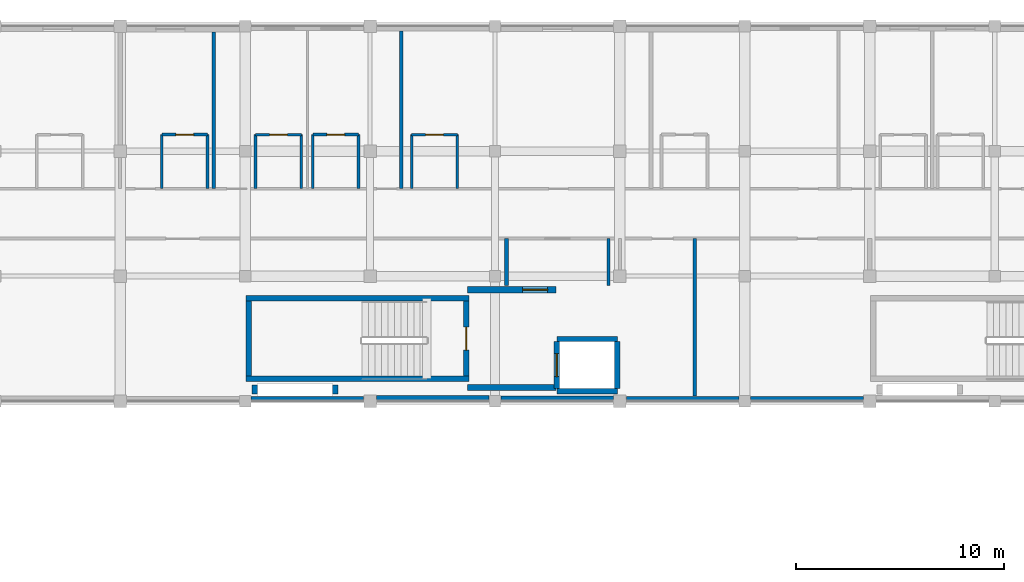
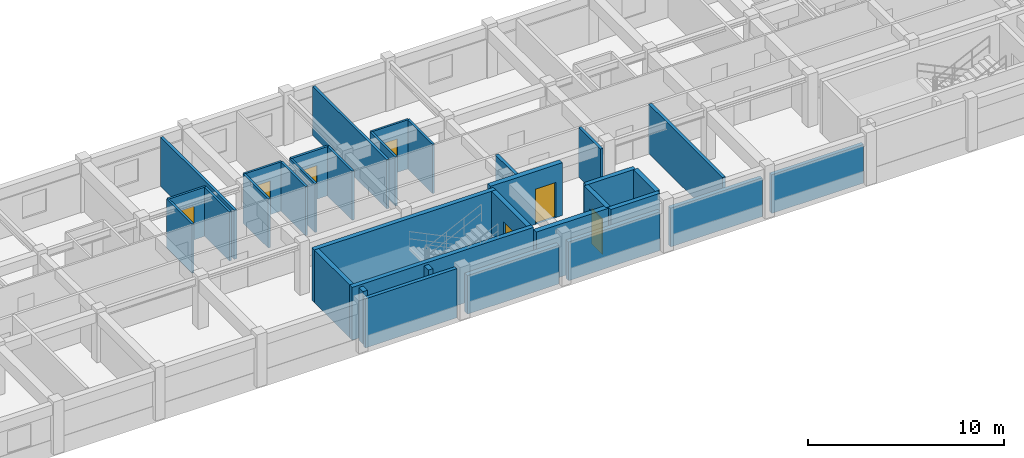
# One storey, part 9 of 21: 34 walls, 7 doors, 7 openings.
"""IFC4 building model written with IfcOpenShell, lengths in metres."""

from ifc_helpers import new_model, si_unit, direction, frame, frame_2d, origin, place, context, subcontext, project, spatial, rectangle, extrude, material, layer, layer_set, type_object, element, fill, save


model = new_model("IFC4")

# Units and contexts
model_context = context("Model", 3, precision=1e-05, world=origin(), true_north=direction((0.0, 1.0)))
body_context = subcontext(model_context, "Body", "Model", "MODEL_VIEW")
ifc_project = project(units=[si_unit("LENGTHUNIT", "METRE"), si_unit("AREAUNIT", "SQUARE_METRE"), si_unit("VOLUMEUNIT", "CUBIC_METRE"), si_unit("PLANEANGLEUNIT", "RADIAN"), si_unit("MASSUNIT", "GRAM", prefix="KILO"), si_unit("THERMODYNAMICTEMPERATUREUNIT", "KELVIN"), si_unit("POWERUNIT", "WATT")], contexts=[model_context])

# Site, building, storey
site_placement = place(None, origin())
site = spatial("IfcSite", under=ifc_project, at=site_placement, CompositionType="ELEMENT")
building_placement = place(site_placement, origin())
building = spatial("IfcBuilding", under=site, at=building_placement, Name="Phaisarnlok Congress Hotel", CompositionType="ELEMENT")
storey_placement = place(building_placement, frame((0.0, 0.0, 31.5)))
storey = spatial("IfcBuildingStorey", under=building, at=storey_placement, Name="L07", CompositionType="ELEMENT", Elevation=31.5)

# Walls
ifc_material_1 = material(Name="Concrete C40/50", Category="concrete")
ifc_layer_1 = layer(ifc_material_1, 0.2099609375, Name="Concrete C40/50")
ifc_layer_set_1 = layer_set([ifc_layer_1], Name="Concrete C40/50")
wall_type_1 = type_object("IfcWallType", Name="WL-EXT-210", PredefinedType="SOLIDWALL", material=ifc_layer_set_1)
wall_1_placement = place(storey_placement, frame((102.280029296875, 108.10498046875, 0.0), z_axis=(0.0, 0.0, 1.0), x_axis=(1.0, 0.0, 0.0)))
element("IfcWall", 1, at=wall_1_placement, inside=storey, type_object=wall_type_1, Name="Exterior wall EW-07 (L07)", PredefinedType="SOLIDWALL", context=body_context, shape_type="SweptSolid", body=[
    extrude(rectangle(XDim=5.4150390625, YDim=0.2099609375, at=frame_2d((2.70751953125, 0.0))), origin(), (0.0, 0.0, 1.0), 3.070068359375),
])
wall_2_placement = place(storey_placement, frame((126.280029296875, 108.10498046875, 0.0), z_axis=(0.0, 0.0, 1.0), x_axis=(1.0, 0.0, 0.0)))
element("IfcWall", 2, at=wall_2_placement, inside=storey, type_object=wall_type_1, Name="Exterior wall EW-07 (L07)", PredefinedType="SOLIDWALL", context=body_context, shape_type="SweptSolid", body=[
    extrude(rectangle(XDim=5.4150390625, YDim=0.2099609375, at=frame_2d((2.70751953125, 0.0))), origin(), (0.0, 0.0, 1.0), 2.419921875),
])
ifc_layer_2 = layer(ifc_material_1, 0.22998046875, Name="Concrete C40/50")
ifc_layer_set_2 = layer_set([ifc_layer_2], Name="Concrete C40/50")
wall_type_2 = type_object("IfcWallType", Name="WL-EXT-230", PredefinedType="SOLIDWALL", material=ifc_layer_set_2)
wall_3_placement = place(storey_placement, frame((120.304931640625, 108.114990234375, 0.0), z_axis=(0.0, 0.0, 1.0), x_axis=(1.0, 0.0, 0.0)))
element("IfcWall", 3, at=wall_3_placement, inside=storey, type_object=wall_type_2, Name="Exterior wall EW-06 (L07)", PredefinedType="SOLIDWALL", context=body_context, shape_type="SweptSolid", body=[
    extrude(rectangle(XDim=5.4150390625, YDim=0.22998046875, at=frame_2d((2.70751953125, 0.0))), origin(), (0.0, 0.0, 1.0), 2.419921875),
])
ifc_layer_3 = layer(ifc_material_1, 0.25, Name="Concrete C40/50")
ifc_layer_set_3 = layer_set([ifc_layer_3], Name="Concrete C40/50")
wall_type_3 = type_object("IfcWallType", Name="WL-EXT-250", PredefinedType="SOLIDWALL", material=ifc_layer_set_3)
wall_4_placement = place(storey_placement, frame((114.280029296875, 108.125, 0.0), z_axis=(0.0, 0.0, 1.0), x_axis=(1.0, 0.0, 0.0)))
element("IfcWall", 4, at=wall_4_placement, inside=storey, type_object=wall_type_3, Name="Exterior wall EW-05 (L07)", PredefinedType="SOLIDWALL", context=body_context, shape_type="SweptSolid", body=[
    extrude(rectangle(XDim=5.4150390625, YDim=0.25, at=frame_2d((2.70751953125, 0.0))), origin(), (0.0, 0.0, 1.0), 2.419921875),
])
ifc_layer_4 = layer(ifc_material_1, 0.27001953125, Name="Concrete C40/50")
ifc_layer_set_4 = layer_set([ifc_layer_4], Name="Concrete C40/50")
wall_type_4 = type_object("IfcWallType", Name="WL-EXT-270", PredefinedType="SOLIDWALL", material=ifc_layer_set_4)
wall_5_placement = place(storey_placement, frame((108.304931640625, 108.135009765625, 0.0), z_axis=(0.0, 0.0, 1.0), x_axis=(1.0, 0.0, 0.0)))
element("IfcWall", 5, at=wall_5_placement, inside=storey, type_object=wall_type_4, Name="Exterior wall EW-04 (L07)", PredefinedType="SOLIDWALL", context=body_context, shape_type="SweptSolid", body=[
    extrude(rectangle(XDim=5.4150390625, YDim=0.27001953125, at=frame_2d((2.70751953125, 0.0))), origin(), (0.0, 0.0, 1.0), 2.419921875),
])
ifc_material_2 = material(Name="Lightweight Metal-Stud Gypsum Partition", Category="gypsum")
ifc_layer_5 = layer(ifc_material_2, 0.1201171875, Name="Lightweight Metal-Stud Gypsum Partition")
ifc_layer_set_5 = layer_set([ifc_layer_5], Name="Lightweight Metal-Stud Gypsum Partition")
wall_type_5 = type_object("IfcWallType", Name="WL-INT-120", PredefinedType="PARTITIONING", material=ifc_layer_set_5)
for number, where, z_axis, x_axis, name in (
    (6, (98.0, 118.199951171875, 0.0), (0.0, 0.0, 1.0), (0.0, 1.0, 0.0), "Interior partition wall IW-07 (L07)"),
    (7, (104.699951171875, 118.199951171875, 0.0), (0.0, 0.0, 1.0), (0.0, 1.0, 0.0), "Interior partition wall IW-07 (L07)"),
    (8, (105.25, 118.199951171875, 0.0), (0.0, 0.0, 1.0), (0.0, 1.0, 0.0), "Interior partition wall IW-07 (L07)"),
    (9, (112.199951171875, 118.199951171875, 0.0), (0.0, 0.0, 1.0), (0.0, 1.0, 0.0), "Interior partition wall IW-07 (L07)"),
):
    element("IfcWall", number, at=place(storey_placement, frame(where, z_axis=z_axis, x_axis=x_axis)), inside=storey, type_object=wall_type_5, Name=name, PredefinedType="PARTITIONING", context=body_context, shape_type="SweptSolid", body=[
        extrude(rectangle(XDim=2.60009765625, YDim=0.1201171875, at=frame_2d((1.300048828125, 0.0))), origin(), (0.0, 0.0, 1.0), 3.070068359375),
    ])

# Wall, opening, door
wall_6_placement = place(storey_placement, frame((102.5, 120.800048828125, 0.0), z_axis=(0.0, 0.0, 1.0), x_axis=(1.0, 0.0, 0.0)))
wall_6 = element("IfcWall", 10, at=wall_6_placement, inside=storey, type_object=wall_type_5, Name="Interior partition wall IW-07 (L07)", PredefinedType="PARTITIONING", context=body_context, shape_type="SweptSolid", body=[
    extrude(rectangle(XDim=2.199951171875, YDim=0.1201171875, at=frame_2d((1.10009765625, 0.0))), origin(), (0.0, 0.0, 1.0), 3.070068359375),
])
opening_1_placement = place(wall_6_placement, frame((0.675048828125, 0.0, 0.0)))
opening_1 = element("IfcOpeningElement", 11, at=opening_1_placement, cuts=wall_6, Name="Opening D-0333", PredefinedType="OPENING", context=body_context, shape_type="SweptSolid", body=[
    extrude(rectangle(XDim=0.85009765625, YDim=2.10009765625, at=frame_2d((0.425048828125, 1.050048828125))), frame((0.0, 0.070068359375, 0.0), z_axis=(0.0, -1.0, 0.0), x_axis=(1.0, 0.0, 0.0)), (0.0, 0.0, 1.0), 0.14013671875),
])
ifc_material_3 = material(Name="Moisture-Resistant Lacquered Timber", Category="wood")
door_type_1 = type_object("IfcDoorType", Name="DR-BATH-850", OperationType="NOTDEFINED", PredefinedType="DOOR", material=ifc_material_3)
door_1_placement = place(opening_1_placement, origin())
door_1 = element("IfcDoor", 12, at=door_1_placement, inside=storey, type_object=door_type_1, Name="Interior door D-0333 (L07)", OperationType="SINGLE_SWING_LEFT", OverallHeight=2.10009765625, OverallWidth=0.85009765625, PredefinedType="DOOR", context=body_context, shape_type="SweptSolid", body=[
    extrude(rectangle(XDim=0.85009765625, YDim=2.10009765625, at=frame_2d((0.425048828125, 1.050048828125))), frame((0.0, 0.02490234375, 0.0), z_axis=(0.0, -1.0, 0.0), x_axis=(1.0, 0.0, 0.0)), (0.0, 0.0, 1.0), 0.050048828125),
])
fill(opening_1, door_1)

wall_7_placement = place(storey_placement, frame((110.0, 120.800048828125, 0.0), z_axis=(0.0, 0.0, 1.0), x_axis=(1.0, 0.0, 0.0)))
wall_7 = element("IfcWall", 13, at=wall_7_placement, inside=storey, type_object=wall_type_5, Name="Interior partition wall IW-07 (L07)", PredefinedType="PARTITIONING", context=body_context, shape_type="SweptSolid", body=[
    extrude(rectangle(XDim=2.199951171875, YDim=0.1201171875, at=frame_2d((1.10009765625, 0.0))), origin(), (0.0, 0.0, 1.0), 3.070068359375),
])
opening_2_placement = place(wall_7_placement, frame((0.675048828125, 0.0, 0.0)))
opening_2 = element("IfcOpeningElement", 14, at=opening_2_placement, cuts=wall_7, Name="Opening D-0337", PredefinedType="OPENING", context=body_context, shape_type="SweptSolid", body=[
    extrude(rectangle(XDim=0.85009765625, YDim=2.10009765625, at=frame_2d((0.425048828125, 1.050048828125))), frame((0.0, 0.070068359375, 0.0), z_axis=(0.0, -1.0, 0.0), x_axis=(1.0, 0.0, 0.0)), (0.0, 0.0, 1.0), 0.14013671875),
])
door_2_placement = place(opening_2_placement, origin())
door_2 = element("IfcDoor", 15, at=door_2_placement, inside=storey, type_object=door_type_1, Name="Interior door D-0337 (L07)", OperationType="SINGLE_SWING_LEFT", OverallHeight=2.10009765625, OverallWidth=0.85009765625, PredefinedType="DOOR", context=body_context, shape_type="SweptSolid", body=[
    extrude(rectangle(XDim=0.85009765625, YDim=2.10009765625, at=frame_2d((0.425048828125, 1.050048828125))), frame((0.0, 0.02490234375, 0.0), z_axis=(0.0, -1.0, 0.0), x_axis=(1.0, 0.0, 0.0)), (0.0, 0.0, 1.0), 0.050048828125),
])
fill(opening_2, door_2)

# Walls
ifc_material_4 = material(Name="Moisture-Resistant Gypsum Partition", Category="gypsum")
ifc_layer_6 = layer(ifc_material_4, 0.135009765625, Name="Moisture-Resistant Gypsum Partition")
ifc_layer_set_6 = layer_set([ifc_layer_6], Name="Moisture-Resistant Gypsum Partition")
wall_type_6 = type_object("IfcWallType", Name="WL-INT-135", PredefinedType="PARTITIONING", material=ifc_layer_set_6)
for number, where, z_axis, x_axis, name in (
    (16, (100.199951171875, 118.199951171875, 0.0), (0.0, 0.0, 1.0), (0.0, 1.0, 0.0), "Interior partition wall IW-06 (L07)"),
    (17, (102.5, 118.199951171875, 0.0), (0.0, 0.0, 1.0), (0.0, 1.0, 0.0), "Interior partition wall IW-06 (L07)"),
    (18, (107.449951171875, 118.199951171875, 0.0), (0.0, 0.0, 1.0), (0.0, 1.0, 0.0), "Interior partition wall IW-06 (L07)"),
    (19, (110.0, 118.199951171875, 0.0), (0.0, 0.0, 1.0), (0.0, 1.0, 0.0), "Interior partition wall IW-06 (L07)"),
):
    element("IfcWall", number, at=place(storey_placement, frame(where, z_axis=z_axis, x_axis=x_axis)), inside=storey, type_object=wall_type_6, Name=name, PredefinedType="PARTITIONING", context=body_context, shape_type="SweptSolid", body=[
        extrude(rectangle(XDim=2.60009765625, YDim=0.135009765625, at=frame_2d((1.300048828125, 0.0))), origin(), (0.0, 0.0, 1.0), 3.070068359375),
    ])

# Wall, opening, door
wall_8_placement = place(storey_placement, frame((98.0, 120.800048828125, 0.0), z_axis=(0.0, 0.0, 1.0), x_axis=(1.0, 0.0, 0.0)))
wall_8 = element("IfcWall", 20, at=wall_8_placement, inside=storey, type_object=wall_type_6, Name="Interior partition wall IW-06 (L07)", PredefinedType="PARTITIONING", context=body_context, shape_type="SweptSolid", body=[
    extrude(rectangle(XDim=2.199951171875, YDim=0.135009765625, at=frame_2d((1.10009765625, 0.0))), origin(), (0.0, 0.0, 1.0), 3.070068359375),
])
opening_3_placement = place(wall_8_placement, frame((0.675048828125, 0.0, 0.0)))
opening_3 = element("IfcOpeningElement", 21, at=opening_3_placement, cuts=wall_8, Name="Opening D-0331", PredefinedType="OPENING", context=body_context, shape_type="SweptSolid", body=[
    extrude(rectangle(XDim=0.85009765625, YDim=2.10009765625, at=frame_2d((0.425048828125, 1.050048828125))), frame((0.0, 0.07763671875, 0.0), z_axis=(0.0, -1.0, 0.0), x_axis=(1.0, 0.0, 0.0)), (0.0, 0.0, 1.0), 0.155029296875),
])
door_3_placement = place(opening_3_placement, origin())
door_3 = element("IfcDoor", 22, at=door_3_placement, inside=storey, type_object=door_type_1, Name="Interior door D-0331 (L07)", OperationType="SINGLE_SWING_LEFT", OverallHeight=2.10009765625, OverallWidth=0.85009765625, PredefinedType="DOOR", context=body_context, shape_type="SweptSolid", body=[
    extrude(rectangle(XDim=0.85009765625, YDim=2.10009765625, at=frame_2d((0.425048828125, 1.050048828125))), frame((0.0, 0.02490234375, 0.0), z_axis=(0.0, -1.0, 0.0), x_axis=(1.0, 0.0, 0.0)), (0.0, 0.0, 1.0), 0.050048828125),
])
fill(opening_3, door_3)

wall_9_placement = place(storey_placement, frame((105.25, 120.800048828125, 0.0), z_axis=(0.0, 0.0, 1.0), x_axis=(1.0, 0.0, 0.0)))
wall_9 = element("IfcWall", 23, at=wall_9_placement, inside=storey, type_object=wall_type_6, Name="Interior partition wall IW-06 (L07)", PredefinedType="PARTITIONING", context=body_context, shape_type="SweptSolid", body=[
    extrude(rectangle(XDim=2.199951171875, YDim=0.135009765625, at=frame_2d((1.10009765625, 0.0))), origin(), (0.0, 0.0, 1.0), 3.070068359375),
])
opening_4_placement = place(wall_9_placement, frame((0.675048828125, 0.0, 0.0)))
opening_4 = element("IfcOpeningElement", 24, at=opening_4_placement, cuts=wall_9, Name="Opening D-0335", PredefinedType="OPENING", context=body_context, shape_type="SweptSolid", body=[
    extrude(rectangle(XDim=0.85009765625, YDim=2.10009765625, at=frame_2d((0.425048828125, 1.050048828125))), frame((0.0, 0.07763671875, 0.0), z_axis=(0.0, -1.0, 0.0), x_axis=(1.0, 0.0, 0.0)), (0.0, 0.0, 1.0), 0.155029296875),
])
door_4_placement = place(opening_4_placement, origin())
door_4 = element("IfcDoor", 25, at=door_4_placement, inside=storey, type_object=door_type_1, Name="Interior door D-0335 (L07)", OperationType="SINGLE_SWING_LEFT", OverallHeight=2.10009765625, OverallWidth=0.85009765625, PredefinedType="DOOR", context=body_context, shape_type="SweptSolid", body=[
    extrude(rectangle(XDim=0.85009765625, YDim=2.10009765625, at=frame_2d((0.425048828125, 1.050048828125))), frame((0.0, 0.02490234375, 0.0), z_axis=(0.0, -1.0, 0.0), x_axis=(1.0, 0.0, 0.0)), (0.0, 0.0, 1.0), 0.050048828125),
])
fill(opening_4, door_4)

# Walls
ifc_material_5 = material(Name="Acoustic Gypsum Board & Mineral Wool", Category="gypsum")
ifc_layer_7 = layer(ifc_material_5, 0.14990234375, Name="Acoustic Gypsum Board & Mineral Wool")
ifc_layer_set_7 = layer_set([ifc_layer_7], Name="Acoustic Gypsum Board & Mineral Wool")
wall_type_7 = type_object("IfcWallType", Name="WL-INT-150", PredefinedType="PARTITIONING", material=ifc_layer_set_7)
wall_10_placement = place(storey_placement, frame((109.5, 118.199951171875, 0.0), z_axis=(0.0, 0.0, 1.0), x_axis=(0.0, 1.0, 0.0)))
element("IfcWall", 26, at=wall_10_placement, inside=storey, type_object=wall_type_7, Name="Interior partition wall IW-05 (L07)", PredefinedType="PARTITIONING", context=body_context, shape_type="SweptSolid", body=[
    extrude(rectangle(XDim=7.56494140625, YDim=0.14990234375, at=frame_2d((3.782470703125, 0.0))), origin(), (0.0, 0.0, 1.0), 3.070068359375),
])
ifc_material_6 = material(Name="Double-Stud Acoustic Gypsum Partition", Category="gypsum")
ifc_layer_8 = layer(ifc_material_6, 0.159912109375, Name="Double-Stud Acoustic Gypsum Partition")
ifc_layer_set_8 = layer_set([ifc_layer_8], Name="Double-Stud Acoustic Gypsum Partition")
wall_type_8 = type_object("IfcWallType", Name="WL-INT-160", PredefinedType="PARTITIONING", material=ifc_layer_set_8)
wall_11_placement = place(storey_placement, frame((100.5, 118.199951171875, 0.0), z_axis=(0.0, 0.0, 1.0), x_axis=(0.0, 1.0, 0.0)))
element("IfcWall", 27, at=wall_11_placement, inside=storey, type_object=wall_type_8, Name="Interior partition wall IW-04 (L07)", PredefinedType="PARTITIONING", context=body_context, shape_type="SweptSolid", body=[
    extrude(rectangle(XDim=7.525146484375, YDim=0.159912109375, at=frame_2d((3.7626953125, 0.0))), origin(), (0.0, 0.0, 1.0), 3.070068359375),
])
wall_12_placement = place(storey_placement, frame((119.449951171875, 113.56005859375, 0.0), z_axis=(0.0, 0.0, 1.0), x_axis=(0.0, 1.0, 0.0)))
element("IfcWall", 28, at=wall_12_placement, inside=storey, type_object=wall_type_8, Name="Interior partition wall IW-04 (L07)", PredefinedType="PARTITIONING", context=body_context, shape_type="SweptSolid", body=[
    extrude(rectangle(XDim=2.239990234375, YDim=0.159912109375, at=frame_2d((1.1201171875, 0.0))), origin(), (0.0, 0.0, 1.0), 3.070068359375),
])
ifc_material_7 = material(Name="Autoclaved Aerated Concrete Block", Category="concrete")
ifc_layer_9 = layer(ifc_material_7, 0.179931640625, Name="Autoclaved Aerated Concrete Block")
ifc_layer_set_9 = layer_set([ifc_layer_9], Name="Autoclaved Aerated Concrete Block")
wall_type_9 = type_object("IfcWallType", Name="WL-INT-180", PredefinedType="PARTITIONING", material=ifc_layer_set_9)
wall_13_placement = place(storey_placement, frame((114.550048828125, 113.56005859375, 0.0), z_axis=(0.0, 0.0, 1.0), x_axis=(0.0, 1.0, 0.0)))
element("IfcWall", 29, at=wall_13_placement, inside=storey, type_object=wall_type_9, Name="Interior partition wall IW-03 (L07)", PredefinedType="PARTITIONING", context=body_context, shape_type="SweptSolid", body=[
    extrude(rectangle(XDim=2.239990234375, YDim=0.179931640625, at=frame_2d((1.1201171875, 0.0))), origin(), (0.0, 0.0, 1.0), 3.070068359375),
])
wall_14_placement = place(storey_placement, frame((123.60009765625, 108.235107421875, 0.0), z_axis=(0.0, 0.0, 1.0), x_axis=(0.0, 1.0, 0.0)))
element("IfcWall", 30, at=wall_14_placement, inside=storey, type_object=wall_type_9, Name="Interior partition wall IW-03 (L07)", PredefinedType="PARTITIONING", context=body_context, shape_type="SweptSolid", body=[
    extrude(rectangle(XDim=7.56494140625, YDim=0.179931640625, at=frame_2d((3.782470703125, 0.0))), origin(), (0.0, 0.0, 1.0), 3.070068359375),
])
ifc_material_8 = material(Name="Concrete C50/60", Category="concrete")
ifc_layer_10 = layer(ifc_material_8, 0.260009765625, Name="Concrete C50/60")
ifc_layer_set_10 = layer_set([ifc_layer_10], Name="Concrete C50/60")
wall_type_10 = type_object("IfcWallType", Name="WL-SHR-260", PredefinedType="SHEAR", material=ifc_layer_set_10)
for number, where, z_axis, x_axis, name in (
    (31, (102.0400390625, 109.070068359375, 0.0), (0.0, 0.0, 1.0), (1.0, 0.0, 0.0), "Stair shaft shear wall SW-04 (CORE-4 L07)"),
    (32, (102.0400390625, 112.929931640625, 0.0), (0.0, 0.0, 1.0), (1.0, 0.0, 0.0), "Stair shaft shear wall SW-04 (CORE-4 L07)"),
):
    element("IfcWall", number, at=place(storey_placement, frame(where, z_axis=z_axis, x_axis=x_axis)), inside=storey, type_object=wall_type_10, Name=name, PredefinedType="SHEAR", context=body_context, shape_type="SweptSolid", body=[
        extrude(rectangle(XDim=10.719970703125, YDim=0.260009765625, at=frame_2d((5.35986328125, 0.0))), origin(), (0.0, 0.0, 1.0), 3.300048828125),
    ])
wall_15_placement = place(storey_placement, frame((102.169921875, 109.199951171875, 0.0), z_axis=(0.0, 0.0, 1.0), x_axis=(0.0, 1.0, 0.0)))
element("IfcWall", 33, at=wall_15_placement, inside=storey, type_object=wall_type_10, Name="Stair shaft shear wall SW-04 (CORE-4 L07)", PredefinedType="SHEAR", context=body_context, shape_type="SweptSolid", body=[
    extrude(rectangle(XDim=3.60009765625, YDim=0.260009765625, at=frame_2d((1.800048828125, 0.0))), origin(), (0.0, 0.0, 1.0), 3.300048828125),
])

# Wall, opening, door
wall_16_placement = place(storey_placement, frame((112.6298828125, 109.199951171875, 0.0), z_axis=(0.0, 0.0, 1.0), x_axis=(0.0, 1.0, 0.0)))
wall_16 = element("IfcWall", 34, at=wall_16_placement, inside=storey, type_object=wall_type_10, Name="Stair shaft shear wall SW-04 (CORE-4 L07)", PredefinedType="SHEAR", context=body_context, shape_type="SweptSolid", body=[
    extrude(rectangle(XDim=3.60009765625, YDim=0.260009765625, at=frame_2d((1.800048828125, 0.0))), origin(), (0.0, 0.0, 1.0), 3.300048828125),
])
opening_5_placement = place(wall_16_placement, frame((1.25, 0.0, 0.0)))
opening_5 = element("IfcOpeningElement", 35, at=opening_5_placement, cuts=wall_16, Name="Opening FD-099", PredefinedType="OPENING", context=body_context, shape_type="SweptSolid", body=[
    extrude(rectangle(XDim=1.10009765625, YDim=2.14990234375, at=frame_2d((0.550048828125, 1.074951171875))), frame((0.0, 0.14013671875, 0.0), z_axis=(0.0, -1.0, 0.0), x_axis=(1.0, 0.0, 0.0)), (0.0, 0.0, 1.0), 0.280029296875),
])
ifc_material_9 = material(Name="Fire-Rated Steel Frame & Timber Leaf", Category="steel")
door_type_2 = type_object("IfcDoorType", Name="DR-FD60-1100", OperationType="NOTDEFINED", PredefinedType="DOOR", material=ifc_material_9)
door_5_placement = place(opening_5_placement, origin())
door_5 = element("IfcDoor", 36, at=door_5_placement, inside=storey, type_object=door_type_2, Name="Stair enclosure fire door FD-099 (L07)", OperationType="SINGLE_SWING_RIGHT", OverallHeight=2.14990234375, OverallWidth=1.10009765625, PredefinedType="DOOR", context=body_context, shape_type="SweptSolid", body=[
    extrude(rectangle(XDim=1.10009765625, YDim=2.14990234375, at=frame_2d((0.550048828125, 1.074951171875))), frame((0.0, 0.02490234375, 0.0), z_axis=(0.0, -1.0, 0.0), x_axis=(1.0, 0.0, 0.0)), (0.0, 0.0, 1.0), 0.050048828125),
])
fill(opening_5, door_5)

# Walls
for number, where, z_axis, x_axis, name in (
    (37, (116.969970703125, 108.469970703125, 0.0), (0.0, 0.0, 1.0), (1.0, 0.0, 0.0), "Lift shaft shear wall SW-04 (LF-HP4 L07)"),
    (38, (116.969970703125, 110.97998046875, 0.0), (0.0, 0.0, 1.0), (1.0, 0.0, 0.0), "Lift shaft shear wall SW-04 (LF-HP4 L07)"),
):
    element("IfcWall", number, at=place(storey_placement, frame(where, z_axis=z_axis, x_axis=x_axis)), inside=storey, type_object=wall_type_10, Name=name, PredefinedType="SHEAR", context=body_context, shape_type="SweptSolid", body=[
        extrude(rectangle(XDim=2.909912109375, YDim=0.260009765625, at=frame_2d((1.455078125, 0.0))), origin(), (0.0, 0.0, 1.0), 3.300048828125),
    ])
wall_17_placement = place(storey_placement, frame((119.8798828125, 108.60009765625, 0.0), z_axis=(0.0, 0.0, 1.0), x_axis=(0.0, 1.0, 0.0)))
element("IfcWall", 39, at=wall_17_placement, inside=storey, type_object=wall_type_10, Name="Lift shaft shear wall SW-04 (LF-HP4 L07)", PredefinedType="SHEAR", context=body_context, shape_type="SweptSolid", body=[
    extrude(rectangle(XDim=2.25, YDim=0.260009765625, at=frame_2d((1.125, 0.0))), origin(), (0.0, 0.0, 1.0), 3.300048828125),
])

# Wall, opening, door
wall_18_placement = place(storey_placement, frame((116.969970703125, 108.60009765625, 0.0), z_axis=(0.0, 0.0, 1.0), x_axis=(0.0, 1.0, 0.0)))
wall_18 = element("IfcWall", 40, at=wall_18_placement, inside=storey, type_object=wall_type_10, Name="Lift shaft front wall SW-04 (LF-HP4 L07)", PredefinedType="SHEAR", context=body_context, shape_type="SweptSolid", body=[
    extrude(rectangle(XDim=2.25, YDim=0.260009765625, at=frame_2d((1.125, 0.0))), origin(), (0.0, 0.0, 1.0), 3.300048828125),
])
opening_6_placement = place(wall_18_placement, frame((0.574951171875, 0.0, 0.0)))
opening_6 = element("IfcOpeningElement", 41, at=opening_6_placement, cuts=wall_18, Name="Opening LD-099", PredefinedType="OPENING", context=body_context, shape_type="SweptSolid", body=[
    extrude(rectangle(XDim=1.10009765625, YDim=2.199951171875, at=frame_2d((0.550048828125, 1.10009765625))), frame((0.0, 0.14013671875, 0.0), z_axis=(0.0, -1.0, 0.0), x_axis=(1.0, 0.0, 0.0)), (0.0, 0.0, 1.0), 0.280029296875),
])
ifc_material_10 = material(Name="Brushed Stainless Steel Grade 304", Category="steel")
door_type_3 = type_object("IfcDoorType", Name="DR-LD-1100", OperationType="DOUBLE_DOOR_SLIDING", PredefinedType="DOOR", material=ifc_material_10)
door_6_placement = place(opening_6_placement, origin())
door_6 = element("IfcDoor", 42, at=door_6_placement, inside=storey, type_object=door_type_3, Name="Lift landing sliding door LD-099 (LF-HP4 L07)", OperationType="DOUBLE_DOOR_SLIDING", OverallHeight=2.199951171875, OverallWidth=1.10009765625, PredefinedType="DOOR", context=body_context, shape_type="SweptSolid", body=[
    extrude(rectangle(XDim=1.10009765625, YDim=2.199951171875, at=frame_2d((0.550048828125, 1.10009765625))), frame((0.0, 0.02490234375, 0.0), z_axis=(0.0, -1.0, 0.0), x_axis=(1.0, 0.0, 0.0)), (0.0, 0.0, 1.0), 0.050048828125),
])
fill(opening_6, door_6)

# Walls
for number, where, z_axis, x_axis, name in (
    (43, (102.469970703125, 108.330078125, 0.0), (0.0, 0.0, 1.0), (0.0, 1.0, 0.0), "Service riser shaft wall SW-04 (CORE-4 L07)"),
    (44, (106.330078125, 108.330078125, 0.0), (0.0, 0.0, 1.0), (0.0, 1.0, 0.0), "Service riser shaft wall SW-04 (CORE-4 L07)"),
):
    element("IfcWall", number, at=place(storey_placement, frame(where, z_axis=z_axis, x_axis=x_axis)), inside=storey, type_object=wall_type_10, Name=name, PredefinedType="SHEAR", context=body_context, shape_type="SweptSolid", body=[
        extrude(rectangle(XDim=0.43994140625, YDim=0.260009765625, at=frame_2d((0.219970703125, 0.0))), origin(), (0.0, 0.0, 1.0), 3.300048828125),
    ])

# Wall, opening, door
ifc_layer_11 = layer(ifc_material_8, 0.300048828125, Name="Concrete C50/60")
ifc_layer_set_11 = layer_set([ifc_layer_11], Name="Concrete C50/60")
wall_type_11 = type_object("IfcWallType", Name="WL-SHR-300", PredefinedType="SHEAR", material=ifc_layer_set_11)
wall_19_placement = place(storey_placement, frame((112.679931640625, 113.35009765625, 0.0), z_axis=(0.0, 0.0, 1.0), x_axis=(1.0, 0.0, 0.0)))
wall_19 = element("IfcWall", 45, at=wall_19_placement, inside=storey, type_object=wall_type_11, Name="Core lobby EI-120 wall SW-03 (CORE-4 L07)", PredefinedType="SHEAR", context=body_context, shape_type="SweptSolid", body=[
    extrude(rectangle(XDim=4.239990234375, YDim=0.300048828125, at=frame_2d((2.1201171875, 0.0))), origin(), (0.0, 0.0, 1.0), 3.300048828125),
])
opening_7_placement = place(wall_19_placement, frame((2.64990234375, 0.0, 0.0)))
opening_7 = element("IfcOpeningElement", 46, at=opening_7_placement, cuts=wall_19, Name="Opening FD-114", PredefinedType="OPENING", context=body_context, shape_type="SweptSolid", body=[
    extrude(rectangle(XDim=1.199951171875, YDim=2.199951171875, at=frame_2d((0.60009765625, 1.10009765625))), frame((0.0, 0.16015625, 0.0), z_axis=(0.0, -1.0, 0.0), x_axis=(1.0, 0.0, 0.0)), (0.0, 0.0, 1.0), 0.320068359375),
])
door_type_4 = type_object("IfcDoorType", Name="DR-FD60-1200", OperationType="NOTDEFINED", PredefinedType="DOOR", material=ifc_material_9)
door_7_placement = place(opening_7_placement, origin())
door_7 = element("IfcDoor", 47, at=door_7_placement, inside=storey, type_object=door_type_4, Name="Firefighting lobby entrance door FD-114 (CORE-4 L07)", OperationType="SINGLE_SWING_LEFT", OverallHeight=2.199951171875, OverallWidth=1.199951171875, PredefinedType="DOOR", context=body_context, shape_type="SweptSolid", body=[
    extrude(rectangle(XDim=1.199951171875, YDim=2.199951171875, at=frame_2d((0.60009765625, 1.10009765625))), frame((0.0, 0.02490234375, 0.0), z_axis=(0.0, -1.0, 0.0), x_axis=(1.0, 0.0, 0.0)), (0.0, 0.0, 1.0), 0.050048828125),
])
fill(opening_7, door_7)

# Wall
wall_20_placement = place(storey_placement, frame((112.679931640625, 108.64990234375, 0.0), z_axis=(0.0, 0.0, 1.0), x_axis=(1.0, 0.0, 0.0)))
element("IfcWall", 48, at=wall_20_placement, inside=storey, type_object=wall_type_11, Name="Core lobby EI-120 wall SW-03 (CORE-4 L07)", PredefinedType="SHEAR", context=body_context, shape_type="SweptSolid", body=[
    extrude(rectangle(XDim=4.239990234375, YDim=0.300048828125, at=frame_2d((2.1201171875, 0.0))), origin(), (0.0, 0.0, 1.0), 3.300048828125),
])

save(model, "model.ifc")
